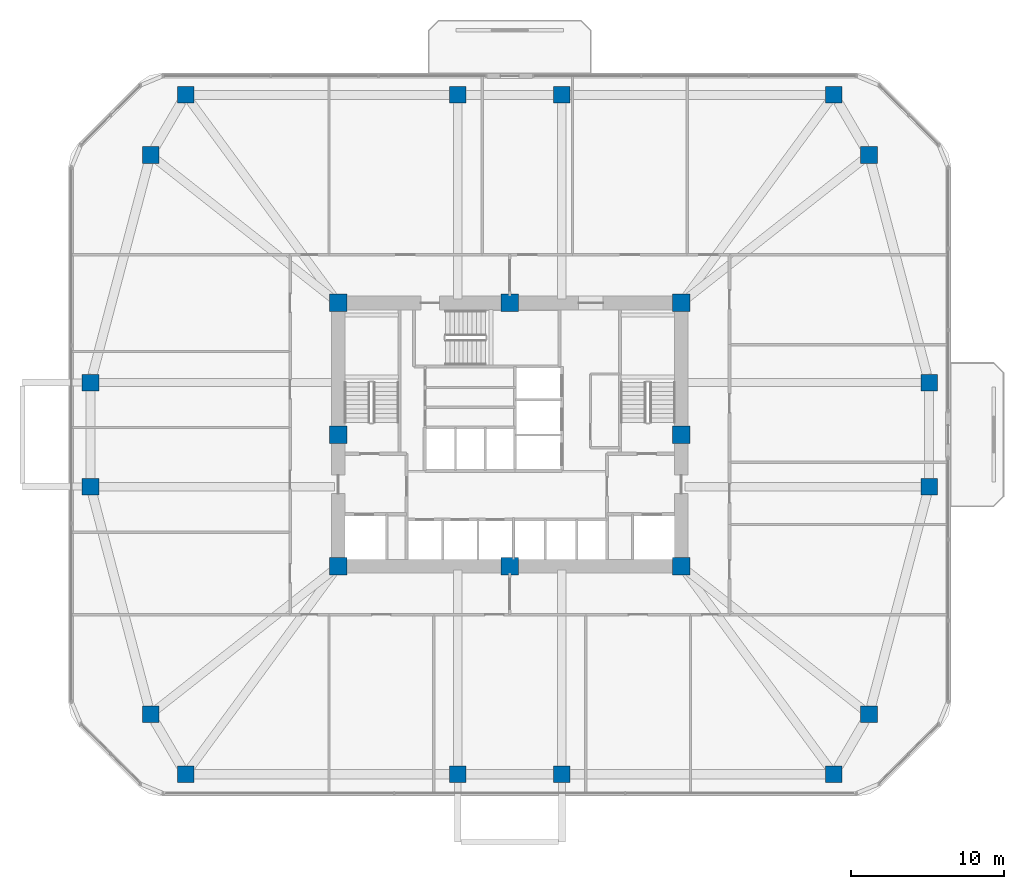
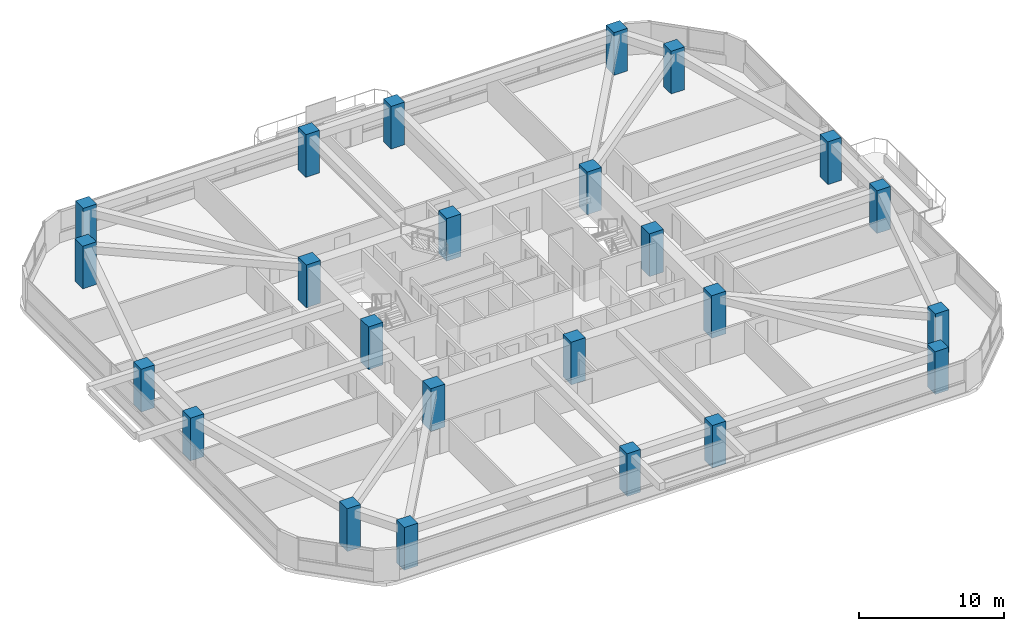
# One storey, part 1 of 14: 24 columns.
"""IFC4 building model written with IfcOpenShell, lengths in metres."""

from ifc_helpers import new_model, si_unit, derived_unit, direction, frame, origin, origin_2d, place, context, subcontext, project, spatial, rectangle, extrude, material, material_profile, profile_set, type_object, element, save


model = new_model("IFC4")

# Units and contexts
model_context = context("Model", 3, precision=1e-05, world=origin(), true_north=direction((0.0, 1.0)))
body_context = subcontext(model_context, "Body", "Model", "MODEL_VIEW")
ifc_project = project(units=[si_unit("LENGTHUNIT", "METRE"), si_unit("AREAUNIT", "SQUARE_METRE"), si_unit("VOLUMEUNIT", "CUBIC_METRE"), si_unit("PLANEANGLEUNIT", "RADIAN"), si_unit("MASSUNIT", "GRAM", prefix="KILO"), derived_unit("THERMALTRANSMITTANCEUNIT", [(si_unit("POWERUNIT", "WATT"), 1), (si_unit("LENGTHUNIT", "METRE"), -2), (si_unit("THERMODYNAMICTEMPERATUREUNIT", "KELVIN"), -1)])], contexts=[model_context])

# Site, building, storey
site_placement = place(None, origin())
site = spatial("IfcSite", under=ifc_project, at=site_placement, CompositionType="ELEMENT")
building_placement = place(site_placement, origin())
building = spatial("IfcBuilding", under=site, at=building_placement, Name="Koralith Skygarden Medical Center", CompositionType="ELEMENT")
storey_placement = place(building_placement, frame((0.0, 0.0, 45.5400390625)))
storey = spatial("IfcBuildingStorey", under=building, at=storey_placement, Name="L11", CompositionType="ELEMENT", Elevation=45.5400390625)

# Columns
ifc_material = material(Name="Concrete C70/85", Category="concrete")
ifc_material_profile_1 = material_profile(ifc_material, rectangle(XDim=1.139892578125, YDim=1.139892578125, at=origin_2d()), Name="RC1140X1140")
ifc_profile_set_1 = profile_set([ifc_material_profile_1], Name="Concrete C70/85")
column_type_1 = type_object("IfcColumnType", Name="Core Mega-Column C70 RC1140", PredefinedType="COLUMN", material=ifc_profile_set_1)
for number, where, z_axis, x_axis, name in (
    (1, (25.800048828125, 17.300048828125, 0.0), (0.0, 0.0, 1.0), (1.0, 0.0, 0.0), "L11 Core Column CC-01"),
    (2, (37.0, 17.300048828125, 0.0), (0.0, 0.0, 1.0), (1.0, 0.0, 0.0), "L11 Core Column CC-02"),
    (3, (48.199951171875, 17.300048828125, 0.0), (0.0, 0.0, 1.0), (1.0, 0.0, 0.0), "L11 Core Column CC-03"),
    (4, (48.199951171875, 25.89990234375, 0.0), (0.0, 0.0, 1.0), (1.0, 0.0, 0.0), "L11 Core Column CC-04"),
    (5, (48.199951171875, 34.5, 0.0), (0.0, 0.0, 1.0), (1.0, 0.0, 0.0), "L11 Core Column CC-05"),
    (6, (37.0, 34.5, 0.0), (0.0, 0.0, 1.0), (1.0, 0.0, 0.0), "L11 Core Column CC-06"),
    (7, (25.800048828125, 34.5, 0.0), (0.0, 0.0, 1.0), (1.0, 0.0, 0.0), "L11 Core Column CC-07"),
    (8, (25.800048828125, 25.89990234375, 0.0), (0.0, 0.0, 1.0), (1.0, 0.0, 0.0), "L11 Core Column CC-08"),
):
    element("IfcColumn", number, at=place(storey_placement, frame(where, z_axis=z_axis, x_axis=x_axis)), inside=storey, type_object=column_type_1, Name=name, PredefinedType="COLUMN", context=body_context, shape_type="SweptSolid", body=[
        extrude(rectangle(XDim=1.139892578125, YDim=1.139892578125, at=origin_2d()), origin(), (0.0, 0.0, 1.0), 3.599853515625),
    ])
ifc_material_profile_2 = material_profile(ifc_material, rectangle(XDim=1.080078125, YDim=1.080078125, at=origin_2d()), Name="RC1080X1080")
ifc_profile_set_2 = profile_set([ifc_material_profile_2], Name="Concrete C70/85")
column_type_2 = type_object("IfcColumnType", Name="Zone 1 Octagonal Mega-Column C70 RC1080", PredefinedType="COLUMN", material=ifc_profile_set_2)
for number, where, z_axis, x_axis, name in (
    (9, (9.6201171875, 22.5, 0.0), (0.0, 0.0, 1.0), (1.0, 0.0, 0.0), "L11 Perimeter Mega-Column MC-01"),
    (10, (13.5400390625, 7.639892578125, 0.0), (0.0, 0.0, 1.0), (1.0, 0.0, 0.0), "L11 Perimeter Mega-Column MC-02"),
    (11, (15.83203125, 3.719970703125, 0.0), (0.0, 0.0, 1.0), (1.0, 0.0, 0.0), "L11 Perimeter Mega-Column MC-03"),
    (12, (33.60009765625, 3.719970703125, 0.0), (0.0, 0.0, 1.0), (1.0, 0.0, 0.0), "L11 Perimeter Mega-Column MC-04"),
    (13, (40.39990234375, 3.719970703125, 0.0), (0.0, 0.0, 1.0), (1.0, 0.0, 0.0), "L11 Perimeter Mega-Column MC-05"),
    (14, (58.16796875, 3.719970703125, 0.0), (0.0, 0.0, 1.0), (1.0, 0.0, 0.0), "L11 Perimeter Mega-Column MC-06"),
    (15, (60.4599609375, 7.639892578125, 0.0), (0.0, 0.0, 1.0), (1.0, 0.0, 0.0), "L11 Perimeter Mega-Column MC-07"),
    (16, (64.3798828125, 22.5, 0.0), (0.0, 0.0, 1.0), (1.0, 0.0, 0.0), "L11 Perimeter Mega-Column MC-08"),
    (17, (64.3798828125, 29.300048828125, 0.0), (0.0, 0.0, 1.0), (1.0, 0.0, 0.0), "L11 Perimeter Mega-Column MC-09"),
    (18, (60.4599609375, 44.159912109375, 0.0), (0.0, 0.0, 1.0), (1.0, 0.0, 0.0), "L11 Perimeter Mega-Column MC-10"),
    (19, (58.16796875, 48.080078125, 0.0), (0.0, 0.0, 1.0), (1.0, 0.0, 0.0), "L11 Perimeter Mega-Column MC-11"),
    (20, (40.39990234375, 48.080078125, 0.0), (0.0, 0.0, 1.0), (1.0, 0.0, 0.0), "L11 Perimeter Mega-Column MC-12"),
    (21, (33.60009765625, 48.080078125, 0.0), (0.0, 0.0, 1.0), (1.0, 0.0, 0.0), "L11 Perimeter Mega-Column MC-13"),
    (22, (15.83203125, 48.080078125, 0.0), (0.0, 0.0, 1.0), (1.0, 0.0, 0.0), "L11 Perimeter Mega-Column MC-14"),
    (23, (13.5400390625, 44.159912109375, 0.0), (0.0, 0.0, 1.0), (1.0, 0.0, 0.0), "L11 Perimeter Mega-Column MC-15"),
    (24, (9.6201171875, 29.300048828125, 0.0), (0.0, 0.0, 1.0), (1.0, 0.0, 0.0), "L11 Perimeter Mega-Column MC-16"),
):
    element("IfcColumn", number, at=place(storey_placement, frame(where, z_axis=z_axis, x_axis=x_axis)), inside=storey, type_object=column_type_2, Name=name, PredefinedType="COLUMN", context=body_context, shape_type="SweptSolid", body=[
        extrude(rectangle(XDim=1.080078125, YDim=1.080078125, at=origin_2d()), origin(), (0.0, 0.0, 1.0), 3.599853515625),
    ])

save(model, "model.ifc")
